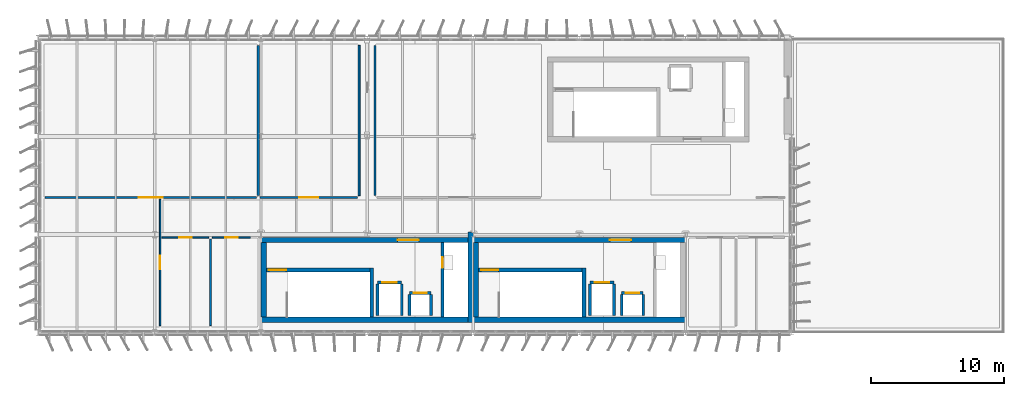
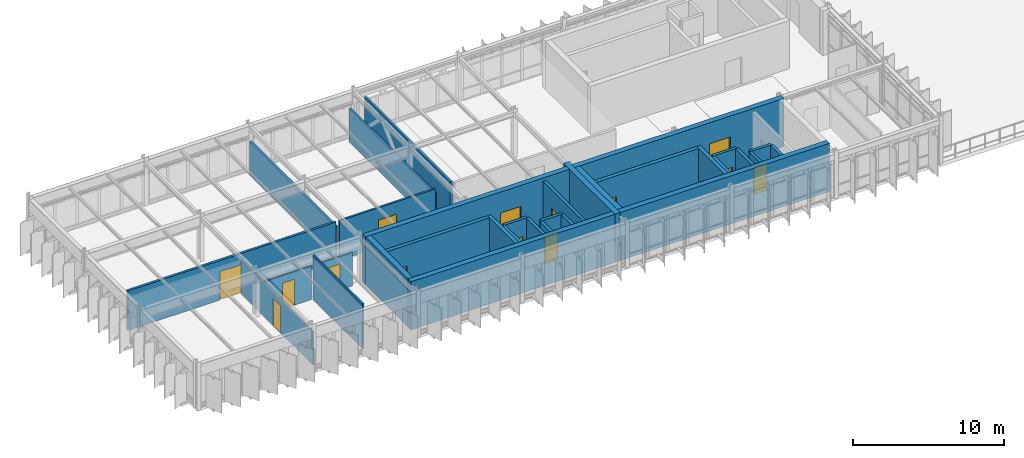
# One storey, part 15 of 20: 33 walls, 14 doors, 14 openings.
"""IFC4 building model written with IfcOpenShell, lengths in metres."""

from ifc_helpers import new_model, si_unit, direction, frame, frame_2d, origin, place, context, subcontext, project, spatial, rectangle, extrude, material, layer, layer_set, type_object, element, fill, save


model = new_model("IFC4")

# Units and contexts
model_context = context("Model", 3, precision=1e-05, world=origin(), true_north=direction((0.0, 1.0)))
body_context = subcontext(model_context, "Body", "Model", "MODEL_VIEW")
ifc_project = project(units=[si_unit("LENGTHUNIT", "METRE"), si_unit("AREAUNIT", "SQUARE_METRE"), si_unit("VOLUMEUNIT", "CUBIC_METRE"), si_unit("PLANEANGLEUNIT", "RADIAN"), si_unit("MASSUNIT", "GRAM", prefix="KILO")], contexts=[model_context])

# Site, building, storey
site_placement = place(None, origin())
site = spatial("IfcSite", under=ifc_project, at=site_placement, CompositionType="ELEMENT")
building_placement = place(site_placement, origin())
building = spatial("IfcBuilding", under=site, at=building_placement, Name="Valkorina Park Police Headquarters", CompositionType="ELEMENT")
storey_placement = place(building_placement, frame((0.0, 0.0, 31.10009765625)))
storey = spatial("IfcBuildingStorey", under=building, at=storey_placement, Name="L08", CompositionType="ELEMENT", Elevation=31.10009765625)

# Wall, opening, door
ifc_material_1 = material(Name="Acoustic mineral board")
ifc_layer_1 = layer(ifc_material_1, 0.14990234375)
ifc_layer_set_1 = layer_set([ifc_layer_1], Name="Acoustic mineral board")
wall_type_1 = type_object("IfcWallType", Name="WL-ACOUST-150-EI30", PredefinedType="PARTITIONING", material=ifc_layer_set_1)
wall_1_placement = place(storey_placement, frame((16.739990234375, 47.199951171875, 0.0), z_axis=(0.0, 0.0, 1.0), x_axis=(1.0, 0.0, 0.0)))
wall_1 = element("IfcWall", 1, at=wall_1_placement, inside=storey, type_object=wall_type_1, Name="L08 Interior Partition 0274 (L08-DIR-02)", PredefinedType="PARTITIONING", context=body_context, shape_type="SweptSolid", body=[
    extrude(rectangle(XDim=7.320068359375, YDim=0.14990234375, at=frame_2d((3.66015625, 0.0))), origin(), (0.0, 0.0, 1.0), 3.199951171875),
])
opening_1_placement = place(wall_1_placement, frame((2.9599609375, 0.0, 0.0)))
opening_1 = element("IfcOpeningElement", 2, at=opening_1_placement, cuts=wall_1, Name="Opening ID-07", PredefinedType="OPENING", context=body_context, shape_type="SweptSolid", body=[
    extrude(rectangle(XDim=1.39990234375, YDim=2.199951171875, at=frame_2d((0.699951171875, 1.10009765625))), frame((0.0, 0.0849609375, 0.0), z_axis=(0.0, -1.0, 0.0), x_axis=(1.0, 0.0, 0.0)), (0.0, 0.0, 1.0), 0.169921875),
])
ifc_material_2 = material(Name="Thermally broken aluminium AW-6060", Category="aluminium")
ifc_layer_2 = layer(ifc_material_2, 0.050048828125)
ifc_layer_set_2 = layer_set([ifc_layer_2], Name="Thermally broken aluminium AW-6060")
door_type_1 = type_object("IfcDoorType", Name="DR-INT-CONF-1400x2200", OperationType="NOTDEFINED", PredefinedType="DOOR", material=ifc_layer_set_2)
door_1_placement = place(opening_1_placement, origin())
door_1 = element("IfcDoor", 3, at=door_1_placement, inside=storey, type_object=door_type_1, Name="Door D-L08-I135 (L08-DIR-02)", OperationType="SINGLE_SWING_RIGHT", OverallHeight=2.199951171875, OverallWidth=1.39990234375, PredefinedType="DOOR", context=body_context, shape_type="SweptSolid", body=[
    extrude(rectangle(XDim=1.39990234375, YDim=2.199951171875, at=frame_2d((0.699951171875, 1.10009765625))), frame((0.0, 0.02490234375, 0.0), z_axis=(0.0, -1.0, 0.0), x_axis=(1.0, 0.0, 0.0)), (0.0, 0.0, 1.0), 0.050048828125),
])
fill(opening_1, door_1)

# Wall
wall_2_placement = place(storey_placement, frame((24.199951171875, 47.340087890625, 0.0), z_axis=(0.0, 0.0, 1.0), x_axis=(0.0, 1.0, 0.0)))
element("IfcWall", 4, at=wall_2_placement, inside=storey, type_object=wall_type_1, Name="L08 Interior Partition 0275 (L08-DIR-02)", PredefinedType="PARTITIONING", context=body_context, shape_type="SweptSolid", body=[
    extrude(rectangle(XDim=11.31982421875, YDim=0.14990234375, at=frame_2d((5.659912109375, 0.0))), origin(), (0.0, 0.0, 1.0), 2.699951171875),
])

# Wall, opening, door
ifc_layer_3 = layer(ifc_material_1, 0.175048828125)
ifc_layer_set_3 = layer_set([ifc_layer_3], Name="Acoustic mineral board")
wall_type_2 = type_object("IfcWallType", Name="WL-BRIEF-175-EI60", PredefinedType="PARTITIONING", material=ifc_layer_set_3)
wall_3_placement = place(storey_placement, frame((0.5400390625, 47.199951171875, 0.0), z_axis=(0.0, 0.0, 1.0), x_axis=(1.0, 0.0, 0.0)))
wall_3 = element("IfcWall", 5, at=wall_3_placement, inside=storey, type_object=wall_type_2, Name="L08 Interior Partition 0272 (L08-DIR-01)", PredefinedType="PARTITIONING", context=body_context, shape_type="SweptSolid", body=[
    extrude(rectangle(XDim=15.919921875, YDim=0.175048828125, at=frame_2d((7.9599609375, 0.0))), origin(), (0.0, 0.0, 1.0), 3.199951171875),
])
opening_2_placement = place(wall_3_placement, frame((7.06005859375, 0.0, 0.0)))
opening_2 = element("IfcOpeningElement", 6, at=opening_2_placement, cuts=wall_3, Name="Opening ID-09", PredefinedType="OPENING", context=body_context, shape_type="SweptSolid", body=[
    extrude(rectangle(XDim=1.800048828125, YDim=2.300048828125, at=frame_2d((0.89990234375, 1.14990234375))), frame((0.0, 0.09765625, 0.0), z_axis=(0.0, -1.0, 0.0), x_axis=(1.0, 0.0, 0.0)), (0.0, 0.0, 1.0), 0.195068359375),
])
ifc_layer_4 = layer(ifc_material_2, 0.050048828125)
ifc_layer_set_4 = layer_set([ifc_layer_4], Name="Thermally broken aluminium AW-6060")
door_type_2 = type_object("IfcDoorType", Name="DR-INT-AUD-1800x2300", OperationType="NOTDEFINED", PredefinedType="DOOR", material=ifc_layer_set_4)
door_2_placement = place(opening_2_placement, origin())
door_2 = element("IfcDoor", 7, at=door_2_placement, inside=storey, type_object=door_type_2, Name="Door D-L08-I134 (L08-DIR-01)", OperationType="DOUBLE_DOOR_SINGLE_SWING", OverallHeight=2.300048828125, OverallWidth=1.800048828125, PredefinedType="DOOR", context=body_context, shape_type="SweptSolid", body=[
    extrude(rectangle(XDim=1.800048828125, YDim=2.300048828125, at=frame_2d((0.89990234375, 1.14990234375))), frame((0.0, 0.02490234375, 0.0), z_axis=(0.0, -1.0, 0.0), x_axis=(1.0, 0.0, 0.0)), (0.0, 0.0, 1.0), 0.050048828125),
])
fill(opening_2, door_2)

# Walls
wall_4_placement = place(storey_placement, frame((16.60009765625, 47.340087890625, 0.0), z_axis=(0.0, 0.0, 1.0), x_axis=(0.0, 1.0, 0.0)))
element("IfcWall", 8, at=wall_4_placement, inside=storey, type_object=wall_type_2, Name="L08 Interior Partition 0273 (L08-DIR-01)", PredefinedType="PARTITIONING", context=body_context, shape_type="SweptSolid", body=[
    extrude(rectangle(XDim=11.31982421875, YDim=0.175048828125, at=frame_2d((5.659912109375, 0.0))), origin(), (0.0, 0.0, 1.0), 2.699951171875),
])
wall_5_placement = place(storey_placement, frame((25.39990234375, 47.340087890625, 0.0), z_axis=(0.0, 0.0, 1.0), x_axis=(0.0, 1.0, 0.0)))
element("IfcWall", 9, at=wall_5_placement, inside=storey, type_object=wall_type_2, Name="L08 Interior Partition 0277 (L08-DIR-04)", PredefinedType="PARTITIONING", context=body_context, shape_type="SweptSolid", body=[
    extrude(rectangle(XDim=11.31982421875, YDim=0.175048828125, at=frame_2d((5.659912109375, 0.0))), origin(), (0.0, 0.0, 1.0), 3.199951171875),
])

# Wall, opening, door
ifc_material_3 = material(Name="Autoclaved aerated concrete masonry", Category="masonry")
ifc_layer_5 = layer(ifc_material_3, 0.219970703125)
ifc_layer_set_5 = layer_set([ifc_layer_5], Name="Autoclaved aerated concrete masonry")
wall_type_3 = type_object("IfcWallType", Name="WL-CHASE-220-EI60", PredefinedType="PLUMBINGWALL", material=ifc_layer_set_5)
wall_6_placement = place(storey_placement, frame((25.590087890625, 40.81005859375, 0.0), z_axis=(0.0, 0.0, 1.0), x_axis=(1.0, 0.0, 0.0)))
wall_6 = element("IfcWall", 10, at=wall_6_placement, inside=storey, type_object=wall_type_3, Name="Lift LF-01 L08 Shaft Front Wall", PredefinedType="PLUMBINGWALL", context=body_context, shape_type="SweptSolid", body=[
    extrude(rectangle(XDim=1.81982421875, YDim=0.219970703125, at=frame_2d((0.909912109375, 0.0))), origin(), (0.0, 0.0, 1.0), 3.619873046875),
])
opening_3_placement = place(wall_6_placement, frame((0.360107421875, 0.0, 0.0)))
opening_3 = element("IfcOpeningElement", 11, at=opening_3_placement, cuts=wall_6, Name="Opening LD-01", PredefinedType="OPENING", context=body_context, shape_type="SweptSolid", body=[
    extrude(rectangle(XDim=1.10009765625, YDim=2.199951171875, at=frame_2d((0.550048828125, 1.10009765625))), frame((0.0, 0.1201171875, 0.0), z_axis=(0.0, -1.0, 0.0), x_axis=(1.0, 0.0, 0.0)), (0.0, 0.0, 1.0), 0.239990234375),
])
ifc_material_4 = material(Name="Stainless steel EN 1.4404", Category="steel")
ifc_layer_6 = layer(ifc_material_4, 0.050048828125)
ifc_layer_set_6 = layer_set([ifc_layer_6], Name="Stainless steel EN 1.4404")
door_type_3 = type_object("IfcDoorType", Name="DR-LIFT-FF-1100x2200", OperationType="NOTDEFINED", PredefinedType="DOOR", material=ifc_layer_set_6)
door_3_placement = place(opening_3_placement, origin())
door_3 = element("IfcDoor", 12, at=door_3_placement, inside=storey, type_object=door_type_3, Name="Lift Landing Door LF-01-L08", OperationType="DOUBLE_DOOR_SLIDING", OverallHeight=2.199951171875, OverallWidth=1.10009765625, PredefinedType="DOOR", context=body_context, shape_type="SweptSolid", body=[
    extrude(rectangle(XDim=1.10009765625, YDim=2.199951171875, at=frame_2d((0.550048828125, 1.10009765625))), frame((0.0, 0.02490234375, 0.0), z_axis=(0.0, -1.0, 0.0), x_axis=(1.0, 0.0, 0.0)), (0.0, 0.0, 1.0), 0.050048828125),
])
fill(opening_3, door_3)

# Walls
for number, where, z_axis, x_axis, name in (
    (13, (25.590087890625, 38.300048828125, 0.0), (0.0, 0.0, 1.0), (0.0, 1.0, 0.0), "Lift LF-01 L08 Shaft Side Wall W"),
    (14, (27.409912109375, 38.300048828125, 0.0), (0.0, 0.0, 1.0), (0.0, 1.0, 0.0), "Lift LF-01 L08 Shaft Side Wall E"),
):
    element("IfcWall", number, at=place(storey_placement, frame(where, z_axis=z_axis, x_axis=x_axis)), inside=storey, type_object=wall_type_3, Name=name, PredefinedType="PLUMBINGWALL", context=body_context, shape_type="SweptSolid", body=[
        extrude(rectangle(XDim=2.39990234375, YDim=0.219970703125, at=frame_2d((1.199951171875, 0.0))), origin(), (0.0, 0.0, 1.0), 3.619873046875),
    ])

# Wall, opening, door
wall_7_placement = place(storey_placement, frame((27.989990234375, 40.010009765625, 0.0), z_axis=(0.0, 0.0, 1.0), x_axis=(1.0, 0.0, 0.0)))
wall_7 = element("IfcWall", 15, at=wall_7_placement, inside=storey, type_object=wall_type_3, Name="Lift LF-03 L08 Shaft Front Wall", PredefinedType="PLUMBINGWALL", context=body_context, shape_type="SweptSolid", body=[
    extrude(rectangle(XDim=1.6201171875, YDim=0.219970703125, at=frame_2d((0.81005859375, 0.0))), origin(), (0.0, 0.0, 1.0), 3.619873046875),
])
opening_4_placement = place(wall_7_placement, frame((0.31005859375, 0.0, 0.0)))
opening_4 = element("IfcOpeningElement", 16, at=opening_4_placement, cuts=wall_7, Name="Opening LD-02", PredefinedType="OPENING", context=body_context, shape_type="SweptSolid", body=[
    extrude(rectangle(XDim=1.0, YDim=2.199951171875, at=frame_2d((0.5, 1.10009765625))), frame((0.0, 0.1201171875, 0.0), z_axis=(0.0, -1.0, 0.0), x_axis=(1.0, 0.0, 0.0)), (0.0, 0.0, 1.0), 0.239990234375),
])
ifc_layer_7 = layer(ifc_material_4, 0.050048828125)
ifc_layer_set_7 = layer_set([ifc_layer_7], Name="Stainless steel EN 1.4404")
door_type_4 = type_object("IfcDoorType", Name="DR-LIFT-PAX-1000x2200", OperationType="NOTDEFINED", PredefinedType="DOOR", material=ifc_layer_set_7)
door_4_placement = place(opening_4_placement, origin())
door_4 = element("IfcDoor", 17, at=door_4_placement, inside=storey, type_object=door_type_4, Name="Lift Landing Door LF-03-L08", OperationType="DOUBLE_DOOR_SLIDING", OverallHeight=2.199951171875, OverallWidth=1.0, PredefinedType="DOOR", context=body_context, shape_type="SweptSolid", body=[
    extrude(rectangle(XDim=1.0, YDim=2.199951171875, at=frame_2d((0.5, 1.10009765625))), frame((0.0, 0.02490234375, 0.0), z_axis=(0.0, -1.0, 0.0), x_axis=(1.0, 0.0, 0.0)), (0.0, 0.0, 1.0), 0.050048828125),
])
fill(opening_4, door_4)

# Walls
for number, where, z_axis, x_axis, name in (
    (18, (27.989990234375, 38.300048828125, 0.0), (0.0, 0.0, 1.0), (0.0, 1.0, 0.0), "Lift LF-03 L08 Shaft Side Wall W"),
    (19, (29.610107421875, 38.300048828125, 0.0), (0.0, 0.0, 1.0), (0.0, 1.0, 0.0), "Lift LF-03 L08 Shaft Side Wall E"),
):
    element("IfcWall", number, at=place(storey_placement, frame(where, z_axis=z_axis, x_axis=x_axis)), inside=storey, type_object=wall_type_3, Name=name, PredefinedType="PLUMBINGWALL", context=body_context, shape_type="SweptSolid", body=[
        extrude(rectangle(XDim=1.599853515625, YDim=0.219970703125, at=frame_2d((0.7998046875, 0.0))), origin(), (0.0, 0.0, 1.0), 3.619873046875),
    ])

# Wall, opening, door
wall_8_placement = place(storey_placement, frame((30.489990234375, 38.199951171875, 0.0), z_axis=(0.0, 0.0, 1.0), x_axis=(0.0, 1.0, 0.0)))
wall_8 = element("IfcWall", 20, at=wall_8_placement, inside=storey, type_object=wall_type_3, Name="Core C1 L08 Riser Shaft West Wall", PredefinedType="PLUMBINGWALL", context=body_context, shape_type="SweptSolid", body=[
    extrude(rectangle(XDim=5.60009765625, YDim=0.219970703125, at=frame_2d((2.800048828125, 0.0))), origin(), (0.0, 0.0, 1.0), 3.619873046875),
])
opening_5_placement = place(wall_8_placement, frame((3.699951171875, 0.0, 0.0)))
opening_5 = element("IfcOpeningElement", 21, at=opening_5_placement, cuts=wall_8, Name="Opening ID-01", PredefinedType="OPENING", context=body_context, shape_type="SweptSolid", body=[
    extrude(rectangle(XDim=0.800048828125, YDim=2.10009765625, at=frame_2d((0.39990234375, 1.050048828125))), frame((0.0, 0.1201171875, 0.0), z_axis=(0.0, -1.0, 0.0), x_axis=(1.0, 0.0, 0.0)), (0.0, 0.0, 1.0), 0.239990234375),
])
ifc_material_5 = material(Name="Galvanized steel door leaf", Category="steel")
ifc_layer_8 = layer(ifc_material_5, 0.050048828125)
ifc_layer_set_8 = layer_set([ifc_layer_8], Name="Galvanized steel door leaf")
door_type_5 = type_object("IfcDoorType", Name="DR-INT-RISER-800x2100", OperationType="NOTDEFINED", PredefinedType="DOOR", material=ifc_layer_set_8)
door_5_placement = place(opening_5_placement, origin())
door_5 = element("IfcDoor", 22, at=door_5_placement, inside=storey, type_object=door_type_5, Name="Riser Shaft Access Door C1-L08", OperationType="SINGLE_SWING_LEFT", OverallHeight=2.10009765625, OverallWidth=0.800048828125, PredefinedType="DOOR", context=body_context, shape_type="SweptSolid", body=[
    extrude(rectangle(XDim=0.800048828125, YDim=2.10009765625, at=frame_2d((0.39990234375, 1.050048828125))), frame((0.0, 0.02490234375, 0.0), z_axis=(0.0, -1.0, 0.0), x_axis=(1.0, 0.0, 0.0)), (0.0, 0.0, 1.0), 0.050048828125),
])
fill(opening_5, door_5)

wall_9_placement = place(storey_placement, frame((41.590087890625, 40.81005859375, 0.0), z_axis=(0.0, 0.0, 1.0), x_axis=(1.0, 0.0, 0.0)))
wall_9 = element("IfcWall", 23, at=wall_9_placement, inside=storey, type_object=wall_type_3, Name="Lift LF-02 L08 Shaft Front Wall", PredefinedType="PLUMBINGWALL", context=body_context, shape_type="SweptSolid", body=[
    extrude(rectangle(XDim=1.81982421875, YDim=0.219970703125, at=frame_2d((0.909912109375, 0.0))), origin(), (0.0, 0.0, 1.0), 3.619873046875),
])
opening_6_placement = place(wall_9_placement, frame((0.360107421875, 0.0, 0.0)))
opening_6 = element("IfcOpeningElement", 24, at=opening_6_placement, cuts=wall_9, Name="Opening LD-01", PredefinedType="OPENING", context=body_context, shape_type="SweptSolid", body=[
    extrude(rectangle(XDim=1.10009765625, YDim=2.199951171875, at=frame_2d((0.550048828125, 1.10009765625))), frame((0.0, 0.1201171875, 0.0), z_axis=(0.0, -1.0, 0.0), x_axis=(1.0, 0.0, 0.0)), (0.0, 0.0, 1.0), 0.239990234375),
])
door_6_placement = place(opening_6_placement, origin())
door_6 = element("IfcDoor", 25, at=door_6_placement, inside=storey, type_object=door_type_3, Name="Lift Landing Door LF-02-L08", OperationType="DOUBLE_DOOR_SLIDING", OverallHeight=2.199951171875, OverallWidth=1.10009765625, PredefinedType="DOOR", context=body_context, shape_type="SweptSolid", body=[
    extrude(rectangle(XDim=1.10009765625, YDim=2.199951171875, at=frame_2d((0.550048828125, 1.10009765625))), frame((0.0, 0.02490234375, 0.0), z_axis=(0.0, -1.0, 0.0), x_axis=(1.0, 0.0, 0.0)), (0.0, 0.0, 1.0), 0.050048828125),
])
fill(opening_6, door_6)

# Walls
for number, where, z_axis, x_axis, name in (
    (26, (41.590087890625, 38.300048828125, 0.0), (0.0, 0.0, 1.0), (0.0, 1.0, 0.0), "Lift LF-02 L08 Shaft Side Wall W"),
    (27, (43.409912109375, 38.300048828125, 0.0), (0.0, 0.0, 1.0), (0.0, 1.0, 0.0), "Lift LF-02 L08 Shaft Side Wall E"),
):
    element("IfcWall", number, at=place(storey_placement, frame(where, z_axis=z_axis, x_axis=x_axis)), inside=storey, type_object=wall_type_3, Name=name, PredefinedType="PLUMBINGWALL", context=body_context, shape_type="SweptSolid", body=[
        extrude(rectangle(XDim=2.39990234375, YDim=0.219970703125, at=frame_2d((1.199951171875, 0.0))), origin(), (0.0, 0.0, 1.0), 3.619873046875),
    ])

# Wall, opening, door
wall_10_placement = place(storey_placement, frame((43.989990234375, 40.010009765625, 0.0), z_axis=(0.0, 0.0, 1.0), x_axis=(1.0, 0.0, 0.0)))
wall_10 = element("IfcWall", 28, at=wall_10_placement, inside=storey, type_object=wall_type_3, Name="Lift LF-04 L08 Shaft Front Wall", PredefinedType="PLUMBINGWALL", context=body_context, shape_type="SweptSolid", body=[
    extrude(rectangle(XDim=1.6201171875, YDim=0.219970703125, at=frame_2d((0.81005859375, 0.0))), origin(), (0.0, 0.0, 1.0), 3.619873046875),
])
opening_7_placement = place(wall_10_placement, frame((0.31005859375, 0.0, 0.0)))
opening_7 = element("IfcOpeningElement", 29, at=opening_7_placement, cuts=wall_10, Name="Opening LD-02", PredefinedType="OPENING", context=body_context, shape_type="SweptSolid", body=[
    extrude(rectangle(XDim=1.0, YDim=2.199951171875, at=frame_2d((0.5, 1.10009765625))), frame((0.0, 0.1201171875, 0.0), z_axis=(0.0, -1.0, 0.0), x_axis=(1.0, 0.0, 0.0)), (0.0, 0.0, 1.0), 0.239990234375),
])
door_7_placement = place(opening_7_placement, origin())
door_7 = element("IfcDoor", 30, at=door_7_placement, inside=storey, type_object=door_type_4, Name="Lift Landing Door LF-04-L08", OperationType="DOUBLE_DOOR_SLIDING", OverallHeight=2.199951171875, OverallWidth=1.0, PredefinedType="DOOR", context=body_context, shape_type="SweptSolid", body=[
    extrude(rectangle(XDim=1.0, YDim=2.199951171875, at=frame_2d((0.5, 1.10009765625))), frame((0.0, 0.02490234375, 0.0), z_axis=(0.0, -1.0, 0.0), x_axis=(1.0, 0.0, 0.0)), (0.0, 0.0, 1.0), 0.050048828125),
])
fill(opening_7, door_7)

# Walls
for number, where, z_axis, x_axis, name in (
    (31, (43.989990234375, 38.300048828125, 0.0), (0.0, 0.0, 1.0), (0.0, 1.0, 0.0), "Lift LF-04 L08 Shaft Side Wall W"),
    (32, (45.610107421875, 38.300048828125, 0.0), (0.0, 0.0, 1.0), (0.0, 1.0, 0.0), "Lift LF-04 L08 Shaft Side Wall E"),
):
    element("IfcWall", number, at=place(storey_placement, frame(where, z_axis=z_axis, x_axis=x_axis)), inside=storey, type_object=wall_type_3, Name=name, PredefinedType="PLUMBINGWALL", context=body_context, shape_type="SweptSolid", body=[
        extrude(rectangle(XDim=1.599853515625, YDim=0.219970703125, at=frame_2d((0.7998046875, 0.0))), origin(), (0.0, 0.0, 1.0), 3.619873046875),
    ])
ifc_material_6 = material(Name="Concrete C40/50", Category="concrete")
ifc_layer_9 = layer(ifc_material_6, 0.39990234375)
ifc_layer_set_9 = layer_set([ifc_layer_9], Name="Concrete C40/50")
wall_type_4 = type_object("IfcWallType", Name="WL-CORE-400-REI180", PredefinedType="SHEAR", material=ifc_layer_set_9)
wall_11_placement = place(storey_placement, frame((16.800048828125, 38.0, 0.0), z_axis=(0.0, 0.0, 1.0), x_axis=(1.0, 0.0, 0.0)))
element("IfcWall", 33, at=wall_11_placement, inside=storey, type_object=wall_type_4, Name="Core C1 L08 Shear Wall S", PredefinedType="SHEAR", context=body_context, shape_type="SweptSolid", body=[
    extrude(rectangle(XDim=16.39990234375, YDim=0.39990234375, at=frame_2d((8.199951171875, 0.0))), origin(), (0.0, 0.0, 1.0), 3.89501953125),
])

# Wall, opening, door
wall_12_placement = place(storey_placement, frame((16.800048828125, 44.0, 0.0), z_axis=(0.0, 0.0, 1.0), x_axis=(1.0, 0.0, 0.0)))
wall_12 = element("IfcWall", 34, at=wall_12_placement, inside=storey, type_object=wall_type_4, Name="Core C1 L08 Shear Wall N", PredefinedType="SHEAR", context=body_context, shape_type="SweptSolid", body=[
    extrude(rectangle(XDim=16.39990234375, YDim=0.39990234375, at=frame_2d((8.199951171875, 0.0))), origin(), (0.0, 0.0, 1.0), 3.89501953125),
])
opening_8_placement = place(wall_12_placement, frame((10.300048828125, 0.0, 0.0)))
opening_8 = element("IfcOpeningElement", 35, at=opening_8_placement, cuts=wall_12, Name="Opening FD-04", PredefinedType="OPENING", context=body_context, shape_type="SweptSolid", body=[
    extrude(rectangle(XDim=1.60009765625, YDim=2.199951171875, at=frame_2d((0.800048828125, 1.10009765625))), frame((0.0, 0.2099609375, 0.0), z_axis=(0.0, -1.0, 0.0), x_axis=(1.0, 0.0, 0.0)), (0.0, 0.0, 1.0), 0.419921875),
])
ifc_layer_10 = layer(ifc_material_5, 0.050048828125)
ifc_layer_set_10 = layer_set([ifc_layer_10], Name="Galvanized steel door leaf")
door_type_6 = type_object("IfcDoorType", Name="DR-FIRE-FFL-1600x2200", OperationType="NOTDEFINED", PredefinedType="DOOR", material=ifc_layer_set_10)
door_8_placement = place(opening_8_placement, origin())
door_8 = element("IfcDoor", 36, at=door_8_placement, inside=storey, type_object=door_type_6, Name="Door D-L08-FFL-C1 (Firefighting Lift Lobby Door)", OperationType="DOUBLE_DOOR_SINGLE_SWING", OverallHeight=2.199951171875, OverallWidth=1.60009765625, PredefinedType="DOOR", context=body_context, shape_type="SweptSolid", body=[
    extrude(rectangle(XDim=1.60009765625, YDim=2.199951171875, at=frame_2d((0.800048828125, 1.10009765625))), frame((0.0, 0.02490234375, 0.0), z_axis=(0.0, -1.0, 0.0), x_axis=(1.0, 0.0, 0.0)), (0.0, 0.0, 1.0), 0.050048828125),
])
fill(opening_8, door_8)

# Walls
wall_13_placement = place(storey_placement, frame((17.0, 38.199951171875, 0.0), z_axis=(0.0, 0.0, 1.0), x_axis=(0.0, 1.0, 0.0)))
element("IfcWall", 37, at=wall_13_placement, inside=storey, type_object=wall_type_4, Name="Core C1 L08 Shear Wall W", PredefinedType="SHEAR", context=body_context, shape_type="SweptSolid", body=[
    extrude(rectangle(XDim=5.60009765625, YDim=0.39990234375, at=frame_2d((2.800048828125, 0.0))), origin(), (0.0, 0.0, 1.0), 3.89501953125),
])
wall_14_placement = place(storey_placement, frame((32.60009765625, 37.800048828125, 0.0), z_axis=(0.0, 0.0, 1.0), x_axis=(0.0, 1.0, 0.0)))
element("IfcWall", 38, at=wall_14_placement, inside=storey, type_object=wall_type_4, Name="Core C1 L08 Shear Wall E", PredefinedType="SHEAR", context=body_context, shape_type="SweptSolid", body=[
    extrude(rectangle(XDim=6.800048828125, YDim=0.39990234375, at=frame_2d((3.39990234375, 0.0))), origin(), (0.0, 0.0, 1.0), 3.89501953125),
])
wall_15_placement = place(storey_placement, frame((32.800048828125, 38.0, 0.0), z_axis=(0.0, 0.0, 1.0), x_axis=(1.0, 0.0, 0.0)))
element("IfcWall", 39, at=wall_15_placement, inside=storey, type_object=wall_type_4, Name="Core C2 L08 Shear Wall S", PredefinedType="SHEAR", context=body_context, shape_type="SweptSolid", body=[
    extrude(rectangle(XDim=16.0, YDim=0.39990234375, at=frame_2d((8.0, 0.0))), origin(), (0.0, 0.0, 1.0), 3.89501953125),
])

# Wall, opening, door
wall_16_placement = place(storey_placement, frame((32.800048828125, 44.0, 0.0), z_axis=(0.0, 0.0, 1.0), x_axis=(1.0, 0.0, 0.0)))
wall_16 = element("IfcWall", 40, at=wall_16_placement, inside=storey, type_object=wall_type_4, Name="Core C2 L08 Shear Wall N", PredefinedType="SHEAR", context=body_context, shape_type="SweptSolid", body=[
    extrude(rectangle(XDim=16.0, YDim=0.39990234375, at=frame_2d((8.0, 0.0))), origin(), (0.0, 0.0, 1.0), 3.89501953125),
])
opening_9_placement = place(wall_16_placement, frame((10.300048828125, 0.0, 0.0)))
opening_9 = element("IfcOpeningElement", 41, at=opening_9_placement, cuts=wall_16, Name="Opening FD-04", PredefinedType="OPENING", context=body_context, shape_type="SweptSolid", body=[
    extrude(rectangle(XDim=1.60009765625, YDim=2.199951171875, at=frame_2d((0.800048828125, 1.10009765625))), frame((0.0, 0.2099609375, 0.0), z_axis=(0.0, -1.0, 0.0), x_axis=(1.0, 0.0, 0.0)), (0.0, 0.0, 1.0), 0.419921875),
])
door_9_placement = place(opening_9_placement, origin())
door_9 = element("IfcDoor", 42, at=door_9_placement, inside=storey, type_object=door_type_6, Name="Door D-L08-FFL-C2 (Firefighting Lift Lobby Door)", OperationType="DOUBLE_DOOR_SINGLE_SWING", OverallHeight=2.199951171875, OverallWidth=1.60009765625, PredefinedType="DOOR", context=body_context, shape_type="SweptSolid", body=[
    extrude(rectangle(XDim=1.60009765625, YDim=2.199951171875, at=frame_2d((0.800048828125, 1.10009765625))), frame((0.0, 0.02490234375, 0.0), z_axis=(0.0, -1.0, 0.0), x_axis=(1.0, 0.0, 0.0)), (0.0, 0.0, 1.0), 0.050048828125),
])
fill(opening_9, door_9)

# Wall
wall_17_placement = place(storey_placement, frame((33.0, 38.199951171875, 0.0), z_axis=(0.0, 0.0, 1.0), x_axis=(0.0, 1.0, 0.0)))
element("IfcWall", 43, at=wall_17_placement, inside=storey, type_object=wall_type_4, Name="Core C2 L08 Shear Wall W", PredefinedType="SHEAR", context=body_context, shape_type="SweptSolid", body=[
    extrude(rectangle(XDim=5.60009765625, YDim=0.39990234375, at=frame_2d((2.800048828125, 0.0))), origin(), (0.0, 0.0, 1.0), 3.89501953125),
])

# Wall, opening, door
ifc_material_7 = material(Name="Gypsum plasterboard")
ifc_layer_11 = layer(ifc_material_7, 0.10009765625)
ifc_layer_set_11 = layer_set([ifc_layer_11], Name="Gypsum plasterboard")
wall_type_5 = type_object("IfcWallType", Name="WL-PART-100", PredefinedType="PARTITIONING", material=ifc_layer_set_11)
wall_18_placement = place(storey_placement, frame((9.199951171875, 37.5400390625, 0.0), z_axis=(0.0, 0.0, 1.0), x_axis=(0.0, 1.0, 0.0)))
wall_18 = element("IfcWall", 44, at=wall_18_placement, inside=storey, type_object=wall_type_5, Name="L08 Interior Partition 0278 (L08-DIR-05)", PredefinedType="PARTITIONING", context=body_context, shape_type="SweptSolid", body=[
    extrude(rectangle(XDim=9.52001953125, YDim=0.10009765625, at=frame_2d((4.760009765625, 0.0))), origin(), (0.0, 0.0, 1.0), 2.699951171875),
])
opening_10_placement = place(wall_18_placement, frame((4.260009765625, 0.0, 0.0)))
opening_10 = element("IfcOpeningElement", 45, at=opening_10_placement, cuts=wall_18, Name="Opening ID-04", PredefinedType="OPENING", context=body_context, shape_type="SweptSolid", body=[
    extrude(rectangle(XDim=1.0, YDim=2.199951171875, at=frame_2d((0.5, 1.10009765625))), frame((0.0, 0.06005859375, 0.0), z_axis=(0.0, -1.0, 0.0), x_axis=(1.0, 0.0, 0.0)), (0.0, 0.0, 1.0), 0.1201171875),
])
ifc_layer_12 = layer(ifc_material_2, 0.050048828125)
ifc_layer_set_12 = layer_set([ifc_layer_12], Name="Thermally broken aluminium AW-6060")
door_type_7 = type_object("IfcDoorType", Name="DR-INT-OFF-1000x2200", OperationType="NOTDEFINED", PredefinedType="DOOR", material=ifc_layer_set_12)
door_10_placement = place(opening_10_placement, origin())
door_10 = element("IfcDoor", 46, at=door_10_placement, inside=storey, type_object=door_type_7, Name="Door D-L08-I137 (L08-DIR-05)", OperationType="SINGLE_SWING_RIGHT", OverallHeight=2.199951171875, OverallWidth=1.0, PredefinedType="DOOR", context=body_context, shape_type="SweptSolid", body=[
    extrude(rectangle(XDim=1.0, YDim=2.199951171875, at=frame_2d((0.5, 1.10009765625))), frame((0.0, 0.02490234375, 0.0), z_axis=(0.0, -1.0, 0.0), x_axis=(1.0, 0.0, 0.0)), (0.0, 0.0, 1.0), 0.050048828125),
])
fill(opening_10, door_10)

ifc_layer_13 = layer(ifc_material_7, 0.125)
ifc_layer_set_13 = layer_set([ifc_layer_13], Name="Gypsum plasterboard")
wall_type_6 = type_object("IfcWallType", Name="WL-PART-125-EI30", PredefinedType="PARTITIONING", material=ifc_layer_set_13)
wall_19_placement = place(storey_placement, frame((9.340087890625, 44.199951171875, 0.0), z_axis=(0.0, 0.0, 1.0), x_axis=(1.0, 0.0, 0.0)))
wall_19 = element("IfcWall", 47, at=wall_19_placement, inside=storey, type_object=wall_type_6, Name="L08 Interior Partition 0280 (L08-WC-M)", PredefinedType="PARTITIONING", context=body_context, shape_type="SweptSolid", body=[
    extrude(rectangle(XDim=3.52001953125, YDim=0.125, at=frame_2d((1.760009765625, 0.0))), origin(), (0.0, 0.0, 1.0), 2.699951171875),
])
opening_11_placement = place(wall_19_placement, frame((1.284912109375, 0.0, 0.0)))
opening_11 = element("IfcOpeningElement", 48, at=opening_11_placement, cuts=wall_19, Name="Opening ID-02", PredefinedType="OPENING", context=body_context, shape_type="SweptSolid", body=[
    extrude(rectangle(XDim=0.949951171875, YDim=2.10009765625, at=frame_2d((0.47509765625, 1.050048828125))), frame((0.0, 0.072509765625, 0.0), z_axis=(0.0, -1.0, 0.0), x_axis=(1.0, 0.0, 0.0)), (0.0, 0.0, 1.0), 0.14501953125),
])
ifc_layer_14 = layer(ifc_material_2, 0.050048828125)
ifc_layer_set_14 = layer_set([ifc_layer_14], Name="Thermally broken aluminium AW-6060")
door_type_8 = type_object("IfcDoorType", Name="DR-INT-WC-950x2100", OperationType="NOTDEFINED", PredefinedType="DOOR", material=ifc_layer_set_14)
door_11_placement = place(opening_11_placement, origin())
door_11 = element("IfcDoor", 49, at=door_11_placement, inside=storey, type_object=door_type_8, Name="Door D-L08-I139 (L08-WC-M)", OperationType="SINGLE_SWING_RIGHT", OverallHeight=2.10009765625, OverallWidth=0.949951171875, PredefinedType="DOOR", context=body_context, shape_type="SweptSolid", body=[
    extrude(rectangle(XDim=0.949951171875, YDim=2.10009765625, at=frame_2d((0.47509765625, 1.050048828125))), frame((0.0, 0.02490234375, 0.0), z_axis=(0.0, -1.0, 0.0), x_axis=(1.0, 0.0, 0.0)), (0.0, 0.0, 1.0), 0.050048828125),
])
fill(opening_11, door_11)

# Wall
wall_20_placement = place(storey_placement, frame((13.0, 37.5400390625, 0.0), z_axis=(0.0, 0.0, 1.0), x_axis=(0.0, 1.0, 0.0)))
element("IfcWall", 50, at=wall_20_placement, inside=storey, type_object=wall_type_6, Name="L08 Interior Partition 0281 (L08-WC-M)", PredefinedType="PARTITIONING", context=body_context, shape_type="SweptSolid", body=[
    extrude(rectangle(XDim=6.52001953125, YDim=0.125, at=frame_2d((3.260009765625, 0.0))), origin(), (0.0, 0.0, 1.0), 3.619873046875),
])

# Wall, opening, door
wall_21_placement = place(storey_placement, frame((13.139892578125, 44.199951171875, 0.0), z_axis=(0.0, 0.0, 1.0), x_axis=(1.0, 0.0, 0.0)))
wall_21 = element("IfcWall", 51, at=wall_21_placement, inside=storey, type_object=wall_type_6, Name="L08 Interior Partition 0282 (L08-WC-F)", PredefinedType="PARTITIONING", context=body_context, shape_type="SweptSolid", body=[
    extrude(rectangle(XDim=2.8701171875, YDim=0.125, at=frame_2d((1.43505859375, 0.0))), origin(), (0.0, 0.0, 1.0), 2.699951171875),
])
opening_12_placement = place(wall_21_placement, frame((0.9599609375, 0.0, 0.0)))
opening_12 = element("IfcOpeningElement", 52, at=opening_12_placement, cuts=wall_21, Name="Opening ID-02", PredefinedType="OPENING", context=body_context, shape_type="SweptSolid", body=[
    extrude(rectangle(XDim=0.949951171875, YDim=2.10009765625, at=frame_2d((0.47509765625, 1.050048828125))), frame((0.0, 0.072509765625, 0.0), z_axis=(0.0, -1.0, 0.0), x_axis=(1.0, 0.0, 0.0)), (0.0, 0.0, 1.0), 0.14501953125),
])
door_12_placement = place(opening_12_placement, origin())
door_12 = element("IfcDoor", 53, at=door_12_placement, inside=storey, type_object=door_type_8, Name="Door D-L08-I140 (L08-WC-F)", OperationType="SINGLE_SWING_LEFT", OverallHeight=2.10009765625, OverallWidth=0.949951171875, PredefinedType="DOOR", context=body_context, shape_type="SweptSolid", body=[
    extrude(rectangle(XDim=0.949951171875, YDim=2.10009765625, at=frame_2d((0.47509765625, 1.050048828125))), frame((0.0, 0.02490234375, 0.0), z_axis=(0.0, -1.0, 0.0), x_axis=(1.0, 0.0, 0.0)), (0.0, 0.0, 1.0), 0.050048828125),
])
fill(opening_12, door_12)

# Wall
ifc_layer_15 = layer(ifc_material_6, 0.280029296875)
ifc_layer_set_15 = layer_set([ifc_layer_15], Name="Concrete C40/50")
wall_type_7 = type_object("IfcWallType", Name="WL-STAIR-280-REI120", PredefinedType="SHEAR", material=ifc_layer_set_15)
wall_22_placement = place(storey_placement, frame((25.139892578125, 38.199951171875, 0.0), z_axis=(0.0, 0.0, 1.0), x_axis=(0.0, 1.0, 0.0)))
element("IfcWall", 54, at=wall_22_placement, inside=storey, type_object=wall_type_7, Name="Core C1 L08 Shear Wall DIV", PredefinedType="SHEAR", context=body_context, shape_type="SweptSolid", body=[
    extrude(rectangle(XDim=3.679931640625, YDim=0.280029296875, at=frame_2d((1.83984375, 0.0))), origin(), (0.0, 0.0, 1.0), 3.89501953125),
])

# Wall, opening, door
wall_23_placement = place(storey_placement, frame((17.199951171875, 41.739990234375, 0.0), z_axis=(0.0, 0.0, 1.0), x_axis=(1.0, 0.0, 0.0)))
wall_23 = element("IfcWall", 55, at=wall_23_placement, inside=storey, type_object=wall_type_7, Name="Core C1 L08 Shear Wall SIDE", PredefinedType="SHEAR", context=body_context, shape_type="SweptSolid", body=[
    extrude(rectangle(XDim=7.800048828125, YDim=0.280029296875, at=frame_2d((3.89990234375, 0.0))), origin(), (0.0, 0.0, 1.0), 3.89501953125),
])
opening_13_placement = place(wall_23_placement, frame((0.199951171875, 0.0, 0.0)))
opening_13 = element("IfcOpeningElement", 56, at=opening_13_placement, cuts=wall_23, Name="Opening FD-03", PredefinedType="OPENING", context=body_context, shape_type="SweptSolid", body=[
    extrude(rectangle(XDim=1.300048828125, YDim=2.199951171875, at=frame_2d((0.64990234375, 1.10009765625))), frame((0.0, 0.14990234375, 0.0), z_axis=(0.0, -1.0, 0.0), x_axis=(1.0, 0.0, 0.0)), (0.0, 0.0, 1.0), 0.300048828125),
])
ifc_layer_16 = layer(ifc_material_5, 0.050048828125)
ifc_layer_set_16 = layer_set([ifc_layer_16], Name="Galvanized steel door leaf")
door_type_9 = type_object("IfcDoorType", Name="DR-FIRE-STAIR-1300x2200", OperationType="NOTDEFINED", PredefinedType="DOOR", material=ifc_layer_set_16)
door_13_placement = place(opening_13_placement, origin())
door_13 = element("IfcDoor", 57, at=door_13_placement, inside=storey, type_object=door_type_9, Name="Door D-L08-C041 (ST-01 Stair Fire Door)", OperationType="SINGLE_SWING_RIGHT", OverallHeight=2.199951171875, OverallWidth=1.300048828125, PredefinedType="DOOR", context=body_context, shape_type="SweptSolid", body=[
    extrude(rectangle(XDim=1.300048828125, YDim=2.199951171875, at=frame_2d((0.64990234375, 1.10009765625))), frame((0.0, 0.02490234375, 0.0), z_axis=(0.0, -1.0, 0.0), x_axis=(1.0, 0.0, 0.0)), (0.0, 0.0, 1.0), 0.050048828125),
])
fill(opening_13, door_13)

# Wall
wall_24_placement = place(storey_placement, frame((41.139892578125, 38.199951171875, 0.0), z_axis=(0.0, 0.0, 1.0), x_axis=(0.0, 1.0, 0.0)))
element("IfcWall", 58, at=wall_24_placement, inside=storey, type_object=wall_type_7, Name="Core C2 L08 Shear Wall DIV", PredefinedType="SHEAR", context=body_context, shape_type="SweptSolid", body=[
    extrude(rectangle(XDim=3.679931640625, YDim=0.280029296875, at=frame_2d((1.83984375, 0.0))), origin(), (0.0, 0.0, 1.0), 3.89501953125),
])

# Wall, opening, door
wall_25_placement = place(storey_placement, frame((33.199951171875, 41.739990234375, 0.0), z_axis=(0.0, 0.0, 1.0), x_axis=(1.0, 0.0, 0.0)))
wall_25 = element("IfcWall", 59, at=wall_25_placement, inside=storey, type_object=wall_type_7, Name="Core C2 L08 Shear Wall SIDE", PredefinedType="SHEAR", context=body_context, shape_type="SweptSolid", body=[
    extrude(rectangle(XDim=7.800048828125, YDim=0.280029296875, at=frame_2d((3.89990234375, 0.0))), origin(), (0.0, 0.0, 1.0), 3.89501953125),
])
opening_14_placement = place(wall_25_placement, frame((0.199951171875, 0.0, 0.0)))
opening_14 = element("IfcOpeningElement", 60, at=opening_14_placement, cuts=wall_25, Name="Opening FD-03", PredefinedType="OPENING", context=body_context, shape_type="SweptSolid", body=[
    extrude(rectangle(XDim=1.300048828125, YDim=2.199951171875, at=frame_2d((0.64990234375, 1.10009765625))), frame((0.0, 0.14990234375, 0.0), z_axis=(0.0, -1.0, 0.0), x_axis=(1.0, 0.0, 0.0)), (0.0, 0.0, 1.0), 0.300048828125),
])
door_14_placement = place(opening_14_placement, origin())
door_14 = element("IfcDoor", 61, at=door_14_placement, inside=storey, type_object=door_type_9, Name="Door D-L08-C086 (ST-02 Stair Fire Door)", OperationType="SINGLE_SWING_LEFT", OverallHeight=2.199951171875, OverallWidth=1.300048828125, PredefinedType="DOOR", context=body_context, shape_type="SweptSolid", body=[
    extrude(rectangle(XDim=1.300048828125, YDim=2.199951171875, at=frame_2d((0.64990234375, 1.10009765625))), frame((0.0, 0.02490234375, 0.0), z_axis=(0.0, -1.0, 0.0), x_axis=(1.0, 0.0, 0.0)), (0.0, 0.0, 1.0), 0.050048828125),
])
fill(opening_14, door_14)

save(model, "model.ifc")
